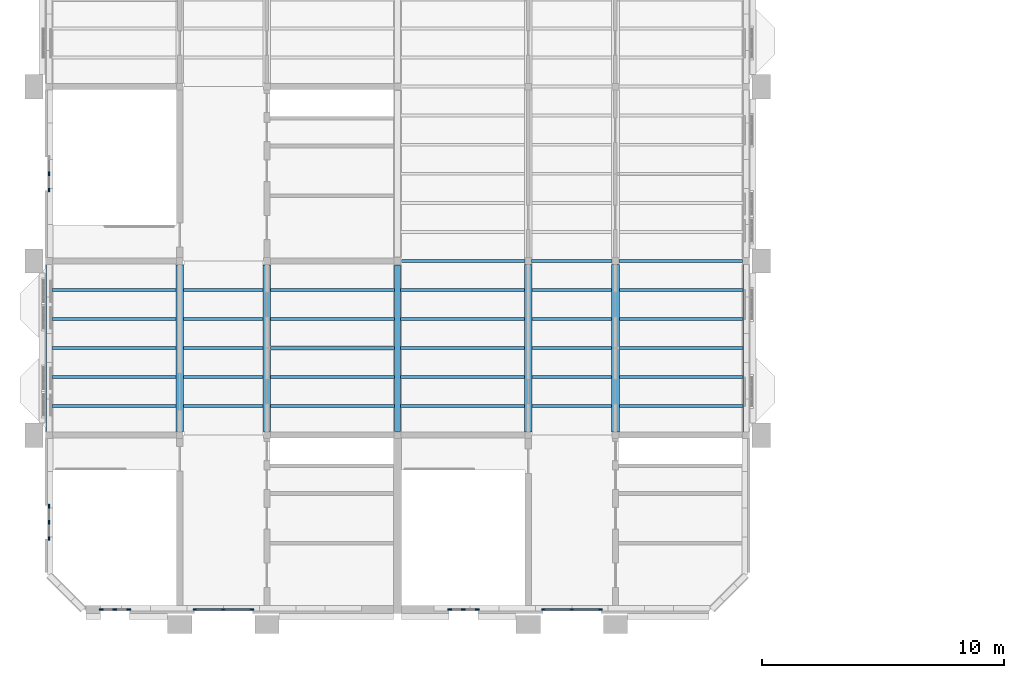
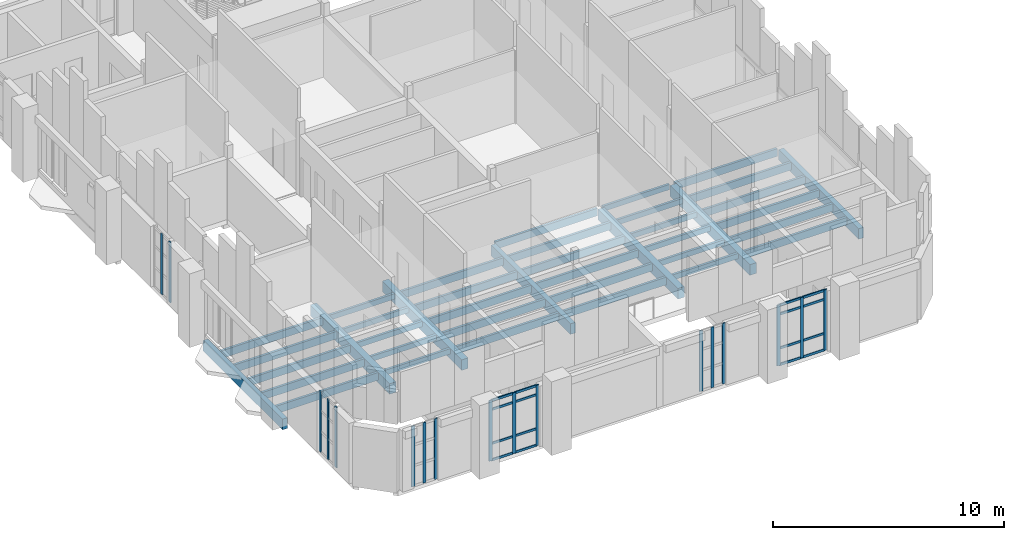
# One storey, part 3 of 51: 40 beams, 33 members, 6 elements without a shape of their own.
"""IFC4 building model written with IfcOpenShell, lengths in metres."""

import ifcopenshell
import ifcopenshell.guid

model = None  # the IFC model being written
_history = None  # IfcOwnerHistory: only IFC2X3 demands one
_inside = {}  # id of a spatial element -> (the spatial element, [elements in it])
_under = {}  # id of a project, library or spatial element -> (it, [spatial elements below it])
_declared = {}  # id of a project -> (the project, [libraries it declares])
_typed = {}  # id of a type object -> (the type object, [elements of that type])
_made_of = {}  # id of a material, layer set ... -> (it, [elements and type objects made of it])


def new_model(schema):
    """Start an empty IFC model of exactly this schema.

    Asked for "IFC4X3", IfcOpenShell would pick the latest addendum, in which some entities
    have other attributes; the version numbers below select the first issue.
    IFC2X3 requires an IfcOwnerHistory on every rooted entity: one is made here for all.
    """
    global model, _history
    if schema == "IFC4X3":
        model = ifcopenshell.file(schema_version=(4, 3, 0, 0))
    else:
        model = ifcopenshell.file(schema=schema)
    _inside.clear()
    _under.clear()
    _declared.clear()
    _typed.clear()
    _made_of.clear()
    _history = None
    if model.schema == "IFC2X3":
        org = make("IfcOrganization", Name="unknown")
        user = make(
            "IfcPersonAndOrganization",
            ThePerson=make("IfcPerson", FamilyName="unknown"),
            TheOrganization=org,
        )
        app = make(
            "IfcApplication",
            ApplicationDeveloper=org,
            Version="unknown",
            ApplicationFullName="unknown",
            ApplicationIdentifier="unknown",
        )
        _history = make(
            "IfcOwnerHistory",
            OwningUser=user,
            OwningApplication=app,
            ChangeAction="ADDED",
            CreationDate=0,
        )
    return model


def make(cls, **values):
    """One entity of the class cls with the attributes given. An attribute that is None is left unset."""
    return model.create_entity(
        cls, **{name: value for name, value in values.items() if value is not None}
    )


def rooted(cls, **values):
    """An entity with a GlobalId (a new one), such as an element, a storey or a relation."""
    return make(cls, GlobalId=ifcopenshell.guid.new(), OwnerHistory=_history, **values)


def si_unit(unit_type, name, prefix=None):
    """IfcSIUnit, for example si_unit("LENGTHUNIT", "METRE", prefix="MILLI")."""
    return make("IfcSIUnit", UnitType=unit_type, Prefix=prefix, Name=name)


def assignment(units):
    """IfcUnitAssignment: the units of a project."""
    return None if units is None else make("IfcUnitAssignment", Units=units)


def point(xyz):
    """IfcCartesianPoint."""
    return None if xyz is None else make("IfcCartesianPoint", Coordinates=xyz)


def direction(xyz):
    """IfcDirection."""
    return None if xyz is None else make("IfcDirection", DirectionRatios=xyz)


def frame(location, z_axis=None, x_axis=None):
    """IfcAxis2Placement3D, a coordinate frame: its origin and axes. An axis left out is left unset."""
    return make(
        "IfcAxis2Placement3D",
        Location=point(location),
        Axis=direction(z_axis),
        RefDirection=direction(x_axis),
    )


def frame_2d(location, x_axis=None):
    """IfcAxis2Placement2D, a coordinate frame in the plane: its origin and x axis."""
    return make(
        "IfcAxis2Placement2D", Location=point(location), RefDirection=direction(x_axis)
    )


def origin():
    """The frame at (0, 0, 0) with its axes left unset."""
    return frame((0.0, 0.0, 0.0))


def origin_2d():
    """The frame at (0, 0) in the plane with its x axis left unset."""
    return frame_2d((0.0, 0.0))


def place(relative_to, where):
    """IfcLocalPlacement: puts the frame where relative to a parent placement (None: the world)."""
    return make(
        "IfcLocalPlacement", PlacementRelTo=relative_to, RelativePlacement=where
    )


def context(
    kind, dimensions, precision=None, world=None, true_north=None, identifier=None
):
    """IfcGeometricRepresentationContext, for example the 3D "Model" context."""
    return make(
        "IfcGeometricRepresentationContext",
        ContextIdentifier=identifier,
        ContextType=kind,
        CoordinateSpaceDimension=dimensions,
        Precision=precision,
        WorldCoordinateSystem=world,
        TrueNorth=true_north,
    )


def subcontext(parent, identifier, kind, view, scale=None):
    """IfcGeometricRepresentationSubContext, for example "Body" below "Model"."""
    return make(
        "IfcGeometricRepresentationSubContext",
        ContextIdentifier=identifier,
        ContextType=kind,
        ParentContext=parent,
        TargetScale=scale,
        TargetView=view,
    )


def project(units=None, contexts=None):
    """IfcProject with its units and contexts."""
    return rooted(
        "IfcProject",
        Name="project",
        RepresentationContexts=contexts,
        UnitsInContext=assignment(units),
    )


def spatial(cls, under=None, at=None, **own):
    """A site, building, storey or space (cls), placed at a placement, below another one or the project."""
    s = rooted(cls, ObjectPlacement=at, **own)
    if under is not None:
        _under.setdefault(under.id(), (under, []))[1].append(s)
    return s


def profile(cls, at=None, kind="AREA", **sizes):
    """A parametric profile (cls). Its sizes go by their IFC names, for example OverallWidth=200.0."""
    return make(cls, ProfileType=kind, Position=at, **sizes)


def rectangle(**sizes):
    """IfcRectangleProfileDef."""
    return profile("IfcRectangleProfileDef", **sizes)


def extrude(swept, where, along, depth):
    """IfcExtrudedAreaSolid: the profile swept, set in the frame where, extruded along a direction by depth."""
    return make(
        "IfcExtrudedAreaSolid",
        SweptArea=swept,
        Position=where,
        ExtrudedDirection=direction(along),
        Depth=depth,
    )


def shape(context_of_items, identifier, shape_type, items):
    """IfcShapeRepresentation: the items that make up one representation, for example the "Body"."""
    return make(
        "IfcShapeRepresentation",
        ContextOfItems=context_of_items,
        RepresentationIdentifier=identifier,
        RepresentationType=shape_type,
        Items=items,
    )


def material(Name=None, Category=None):
    """IfcMaterial."""
    return make("IfcMaterial", Name=Name, Category=Category)


def layer(
    of_material, thickness, ventilated=None, Name=None, Category=None, Priority=None
):
    """IfcMaterialLayer: one layer of a wall or slab, of a material (None: an air gap)."""
    return make(
        "IfcMaterialLayer",
        Material=of_material,
        LayerThickness=thickness,
        IsVentilated=ventilated,
        Name=Name,
        Category=Category,
        Priority=Priority,
    )


def layer_set(layers, Name=None):
    """IfcMaterialLayerSet."""
    return make("IfcMaterialLayerSet", MaterialLayers=layers, LayerSetName=Name)


def material_profile(
    of_material, cross_section, Name=None, Category=None, Priority=None
):
    """IfcMaterialProfile: a cross section and its material."""
    return make(
        "IfcMaterialProfile",
        Name=Name,
        Material=of_material,
        Profile=cross_section,
        Priority=Priority,
        Category=Category,
    )


def profile_set(profiles, Name=None, composite=None):
    """IfcMaterialProfileSet."""
    return make(
        "IfcMaterialProfileSet",
        Name=Name,
        MaterialProfiles=profiles,
        CompositeProfile=composite,
    )


def made_of(thing, what):
    """Note that an element or type object is made of a material, layer set ...; save() writes the relation."""
    if what is not None:
        _made_of.setdefault(what.id(), (what, []))[1].append(thing)
    return thing


def type_object(cls, material=None, **own):
    """A type object (cls), such as IfcWallType, which elements share."""
    return made_of(rooted(cls, **own), material)


def element(
    cls,
    number,
    at=None,
    inside=None,
    cuts=None,
    type_object=None,
    material=None,
    context=None,
    identifier="Body",
    shape_type=None,
    held_by="IfcProductDefinitionShape",
    body=None,
    shapes=None,
    **own,
):
    """One element of the class cls, such as IfcWall. Its Tag is "e" and its number.

    at: its placement. inside: the storey or other place that contains it. cuts: it is an
    opening in that element (IfcRelVoidsElement). A single representation is given by context,
    identifier, shape_type and body (its items); several are given by shapes. held_by: the class
    of the entity that holds the representations. save() writes the other relations.
    """
    e = rooted(cls, Tag="e%d" % number, ObjectPlacement=at, **own)
    if body is not None:
        shapes = [shape(context, identifier, shape_type, body)]
    if shapes is not None:
        e.Representation = make(held_by, Representations=shapes)
    if inside is not None:
        _inside.setdefault(inside.id(), (inside, []))[1].append(e)
    if cuts is not None:
        rooted(
            "IfcRelVoidsElement", RelatingBuildingElement=cuts, RelatedOpeningElement=e
        )
    if type_object is not None:
        _typed.setdefault(type_object.id(), (type_object, []))[1].append(e)
    return made_of(e, material)


def aggregate(whole, parts):
    """IfcRelAggregates: a whole, such as a stair, and the parts it consists of."""
    return rooted("IfcRelAggregates", RelatingObject=whole, RelatedObjects=parts)


def save(model, path):
    """Write the relations noted so far, then the file.

    IfcRelAggregates (storeys below a building ...), IfcRelContainedInSpatialStructure (elements
    in a storey), IfcRelDefinesByType, IfcRelAssociatesMaterial and IfcRelDeclares: one each for
    every whole, place, type object, material and project.
    """
    for whole, parts in _under.values():
        aggregate(whole, parts)
    for where, things in _inside.values():
        rooted(
            "IfcRelContainedInSpatialStructure",
            RelatedElements=things,
            RelatingStructure=where,
        )
    for kind, things in _typed.values():
        rooted("IfcRelDefinesByType", RelatedObjects=things, RelatingType=kind)
    for what, things in _made_of.values():
        rooted("IfcRelAssociatesMaterial", RelatedObjects=things, RelatingMaterial=what)
    for by, libraries in _declared.values():
        rooted("IfcRelDeclares", RelatingContext=by, RelatedDefinitions=libraries)
    model.write(path)


model = new_model("IFC4")

# Units and contexts
model_context = context("Model", 3, precision=1e-05, world=origin(), true_north=direction((0.0, 1.0)))
body_context = subcontext(model_context, "Body", "Model", "MODEL_VIEW")
ifc_project = project(units=[si_unit("LENGTHUNIT", "METRE"), si_unit("AREAUNIT", "SQUARE_METRE"), si_unit("VOLUMEUNIT", "CUBIC_METRE"), si_unit("PLANEANGLEUNIT", "RADIAN"), si_unit("MASSUNIT", "GRAM", prefix="KILO")], contexts=[model_context])

# Site, building, storey
site_placement = place(None, origin())
site = spatial("IfcSite", under=ifc_project, at=site_placement, CompositionType="ELEMENT")
building_placement = place(site_placement, origin())
building = spatial("IfcBuilding", under=site, at=building_placement, Name="Mazhai Court Health Centre", CompositionType="ELEMENT")
storey_placement = place(building_placement, frame((0.0, 0.0, 14.10009765625)))
storey = spatial("IfcBuildingStorey", under=building, at=storey_placement, Name="L03", CompositionType="ELEMENT", Elevation=14.10009765625)

# Curtain wall, members
ifc_material_1 = material(Name="Teak timber frame, glazed", Category="wood")
ifc_layer_1 = layer(ifc_material_1, 0.10009765625)
ifc_layer_set_1 = layer_set([ifc_layer_1], Name="CURTAIN WALL TIMBER 600")
curtain_wall_type_1 = type_object("IfcCurtainWallType", Name="CURTAIN WALL TIMBER 600", PredefinedType="NOTDEFINED", material=ifc_layer_set_1)
curtain_wall_1_placement = place(storey_placement, origin())
curtain_wall_1 = element("IfcCurtainWall", 1, at=curtain_wall_1_placement, inside=storey, type_object=curtain_wall_type_1, Name="CW-V2-L03-A0", PredefinedType="NOTDEFINED")
ifc_material_2 = material(Name="Teak timber", Category="wood")
ifc_material_profile_1 = material_profile(ifc_material_2, rectangle(XDim=0.06005859375, YDim=0.159912109375, at=origin_2d()), Name="CW MULLION 60x160")
ifc_profile_set_1 = profile_set([ifc_material_profile_1], Name="Teak timber")
member_type_1 = type_object("IfcMemberType", Name="CW MULLION 60x160", PredefinedType="MULLION", material=ifc_profile_set_1)
member_1_placement = place(storey_placement, frame((6.199951171875, 9.1298828125, 0.0), z_axis=(0.0, 0.0, 1.0), x_axis=(-1.0, 0.0, 0.0)))
member_1 = element("IfcMember", 2, at=member_1_placement, type_object=member_type_1, Name="CW mullion 1", PredefinedType="MULLION", context=body_context, shape_type="SweptSolid", body=[
    extrude(rectangle(XDim=0.06005859375, YDim=0.159912109375, at=origin_2d()), origin(), (0.0, 0.0, 1.0), 3.199951171875),
])
member_2_placement = place(storey_placement, frame((6.199951171875, 9.800048828125, 0.0), z_axis=(0.0, 0.0, 1.0), x_axis=(-1.0, 0.0, 0.0)))
member_2 = element("IfcMember", 3, at=member_2_placement, type_object=member_type_1, Name="CW mullion 2", PredefinedType="MULLION", context=body_context, shape_type="SweptSolid", body=[
    extrude(rectangle(XDim=0.06005859375, YDim=0.159912109375, at=origin_2d()), origin(), (0.0, 0.0, 1.0), 3.199951171875),
])
member_3_placement = place(storey_placement, frame((6.199951171875, 10.469970703125, 0.0), z_axis=(0.0, 0.0, 1.0), x_axis=(-1.0, 0.0, 0.0)))
member_3 = element("IfcMember", 4, at=member_3_placement, type_object=member_type_1, Name="CW mullion 3", PredefinedType="MULLION", context=body_context, shape_type="SweptSolid", body=[
    extrude(rectangle(XDim=0.06005859375, YDim=0.159912109375, at=origin_2d()), origin(), (0.0, 0.0, 1.0), 3.199951171875),
])
aggregate(curtain_wall_1, [member_1, member_2, member_3])

curtain_wall_2_placement = place(storey_placement, origin())
curtain_wall_2 = element("IfcCurtainWall", 5, at=curtain_wall_2_placement, inside=storey, type_object=curtain_wall_type_1, Name="CW-V2-L03-A2", PredefinedType="NOTDEFINED")
member_4_placement = place(storey_placement, frame((6.199951171875, 23.530029296875, 0.0), z_axis=(0.0, 0.0, 1.0), x_axis=(-1.0, 0.0, 0.0)))
member_4 = element("IfcMember", 6, at=member_4_placement, type_object=member_type_1, Name="CW mullion 1", PredefinedType="MULLION", context=body_context, shape_type="SweptSolid", body=[
    extrude(rectangle(XDim=0.06005859375, YDim=0.159912109375, at=origin_2d()), origin(), (0.0, 0.0, 1.0), 3.199951171875),
])
member_5_placement = place(storey_placement, frame((6.199951171875, 24.199951171875, 0.0), z_axis=(0.0, 0.0, 1.0), x_axis=(-1.0, 0.0, 0.0)))
member_5 = element("IfcMember", 7, at=member_5_placement, type_object=member_type_1, Name="CW mullion 2", PredefinedType="MULLION", context=body_context, shape_type="SweptSolid", body=[
    extrude(rectangle(XDim=0.06005859375, YDim=0.159912109375, at=origin_2d()), origin(), (0.0, 0.0, 1.0), 3.199951171875),
])
aggregate(curtain_wall_2, [member_4, member_5])

curtain_wall_3_placement = place(storey_placement, origin())
curtain_wall_3 = element("IfcCurtainWall", 8, at=curtain_wall_3_placement, inside=storey, type_object=curtain_wall_type_1, Name="CW-V2-L03-SSTAIR0", PredefinedType="NOTDEFINED")
member_6_placement = place(storey_placement, frame((9.489990234375, 6.199951171875, 0.0), z_axis=(0.0, 0.0, 1.0), x_axis=(0.0, -1.0, 0.0)))
member_6 = element("IfcMember", 9, at=member_6_placement, type_object=member_type_1, Name="CW mullion 1", PredefinedType="MULLION", context=body_context, shape_type="SweptSolid", body=[
    extrude(rectangle(XDim=0.06005859375, YDim=0.159912109375, at=origin_2d()), origin(), (0.0, 0.0, 1.0), 3.199951171875),
])
member_7_placement = place(storey_placement, frame((8.919921875, 6.199951171875, 0.0), z_axis=(0.0, 0.0, 1.0), x_axis=(0.0, -1.0, 0.0)))
member_7 = element("IfcMember", 10, at=member_7_placement, type_object=member_type_1, Name="CW mullion 2", PredefinedType="MULLION", context=body_context, shape_type="SweptSolid", body=[
    extrude(rectangle(XDim=0.06005859375, YDim=0.159912109375, at=origin_2d()), origin(), (0.0, 0.0, 1.0), 3.199951171875),
])
member_8_placement = place(storey_placement, frame((8.35009765625, 6.199951171875, 0.0), z_axis=(0.0, 0.0, 1.0), x_axis=(0.0, -1.0, 0.0)))
member_8 = element("IfcMember", 11, at=member_8_placement, type_object=member_type_1, Name="CW mullion 3", PredefinedType="MULLION", context=body_context, shape_type="SweptSolid", body=[
    extrude(rectangle(XDim=0.06005859375, YDim=0.159912109375, at=origin_2d()), origin(), (0.0, 0.0, 1.0), 3.199951171875),
])
aggregate(curtain_wall_3, [member_6, member_7, member_8])

ifc_material_3 = material(Name="Teak timber frame, glazed", Category="wood")
ifc_layer_2 = layer(ifc_material_3, 0.10009765625)
ifc_layer_set_2 = layer_set([ifc_layer_2], Name="CURTAIN WALL TIMBER 1200")
curtain_wall_type_2 = type_object("IfcCurtainWallType", Name="CURTAIN WALL TIMBER 1200", PredefinedType="NOTDEFINED", material=ifc_layer_set_2)
curtain_wall_4_placement = place(storey_placement, origin())
curtain_wall_4 = element("IfcCurtainWall", 12, at=curtain_wall_4_placement, inside=storey, type_object=curtain_wall_type_2, Name="CW-V2-L03-SEND1", PredefinedType="NOTDEFINED")
member_9_placement = place(storey_placement, frame((14.570068359375, 6.199951171875, 0.0), z_axis=(0.0, 0.0, 1.0), x_axis=(0.0, -1.0, 0.0)))
member_9 = element("IfcMember", 13, at=member_9_placement, type_object=member_type_1, Name="CW mullion 1", PredefinedType="MULLION", context=body_context, shape_type="SweptSolid", body=[
    extrude(rectangle(XDim=0.06005859375, YDim=0.159912109375, at=origin_2d()), origin(), (0.0, 0.0, 1.0), 3.199951171875),
])
member_10_placement = place(storey_placement, frame((13.39990234375, 6.199951171875, 0.0), z_axis=(0.0, 0.0, 1.0), x_axis=(0.0, -1.0, 0.0)))
member_10 = element("IfcMember", 14, at=member_10_placement, type_object=member_type_1, Name="CW mullion 2", PredefinedType="MULLION", context=body_context, shape_type="SweptSolid", body=[
    extrude(rectangle(XDim=0.06005859375, YDim=0.159912109375, at=origin_2d()), origin(), (0.0, 0.0, 1.0), 3.199951171875),
])
member_11_placement = place(storey_placement, frame((12.22998046875, 6.199951171875, 0.0), z_axis=(0.0, 0.0, 1.0), x_axis=(0.0, -1.0, 0.0)))
member_11 = element("IfcMember", 15, at=member_11_placement, type_object=member_type_1, Name="CW mullion 3", PredefinedType="MULLION", context=body_context, shape_type="SweptSolid", body=[
    extrude(rectangle(XDim=0.06005859375, YDim=0.159912109375, at=origin_2d()), origin(), (0.0, 0.0, 1.0), 3.199951171875),
])

curtain_wall_5_placement = place(storey_placement, origin())
curtain_wall_5 = element("IfcCurtainWall", 16, at=curtain_wall_5_placement, inside=storey, type_object=curtain_wall_type_1, Name="CW-V5-L03-SSTAIR0", PredefinedType="NOTDEFINED")
member_12_placement = place(storey_placement, frame((23.889892578125, 6.199951171875, 0.0), z_axis=(0.0, 0.0, 1.0), x_axis=(0.0, -1.0, 0.0)))
member_12 = element("IfcMember", 17, at=member_12_placement, type_object=member_type_1, Name="CW mullion 1", PredefinedType="MULLION", context=body_context, shape_type="SweptSolid", body=[
    extrude(rectangle(XDim=0.06005859375, YDim=0.159912109375, at=origin_2d()), origin(), (0.0, 0.0, 1.0), 3.199951171875),
])
member_13_placement = place(storey_placement, frame((23.320068359375, 6.199951171875, 0.0), z_axis=(0.0, 0.0, 1.0), x_axis=(0.0, -1.0, 0.0)))
member_13 = element("IfcMember", 18, at=member_13_placement, type_object=member_type_1, Name="CW mullion 2", PredefinedType="MULLION", context=body_context, shape_type="SweptSolid", body=[
    extrude(rectangle(XDim=0.06005859375, YDim=0.159912109375, at=origin_2d()), origin(), (0.0, 0.0, 1.0), 3.199951171875),
])
member_14_placement = place(storey_placement, frame((22.75, 6.199951171875, 0.0), z_axis=(0.0, 0.0, 1.0), x_axis=(0.0, -1.0, 0.0)))
member_14 = element("IfcMember", 19, at=member_14_placement, type_object=member_type_1, Name="CW mullion 3", PredefinedType="MULLION", context=body_context, shape_type="SweptSolid", body=[
    extrude(rectangle(XDim=0.06005859375, YDim=0.159912109375, at=origin_2d()), origin(), (0.0, 0.0, 1.0), 3.199951171875),
])
aggregate(curtain_wall_5, [member_12, member_13, member_14])

curtain_wall_6_placement = place(storey_placement, origin())
curtain_wall_6 = element("IfcCurtainWall", 20, at=curtain_wall_6_placement, inside=storey, type_object=curtain_wall_type_2, Name="CW-V5-L03-SEND1", PredefinedType="NOTDEFINED")
member_15_placement = place(storey_placement, frame((28.969970703125, 6.199951171875, 0.0), z_axis=(0.0, 0.0, 1.0), x_axis=(0.0, -1.0, 0.0)))
member_15 = element("IfcMember", 21, at=member_15_placement, type_object=member_type_1, Name="CW mullion 1", PredefinedType="MULLION", context=body_context, shape_type="SweptSolid", body=[
    extrude(rectangle(XDim=0.06005859375, YDim=0.159912109375, at=origin_2d()), origin(), (0.0, 0.0, 1.0), 3.199951171875),
])
member_16_placement = place(storey_placement, frame((27.800048828125, 6.199951171875, 0.0), z_axis=(0.0, 0.0, 1.0), x_axis=(0.0, -1.0, 0.0)))
member_16 = element("IfcMember", 22, at=member_16_placement, type_object=member_type_1, Name="CW mullion 2", PredefinedType="MULLION", context=body_context, shape_type="SweptSolid", body=[
    extrude(rectangle(XDim=0.06005859375, YDim=0.159912109375, at=origin_2d()), origin(), (0.0, 0.0, 1.0), 3.199951171875),
])
member_17_placement = place(storey_placement, frame((26.6298828125, 6.199951171875, 0.0), z_axis=(0.0, 0.0, 1.0), x_axis=(0.0, -1.0, 0.0)))
member_17 = element("IfcMember", 23, at=member_17_placement, type_object=member_type_1, Name="CW mullion 3", PredefinedType="MULLION", context=body_context, shape_type="SweptSolid", body=[
    extrude(rectangle(XDim=0.06005859375, YDim=0.159912109375, at=origin_2d()), origin(), (0.0, 0.0, 1.0), 3.199951171875),
])

# Member
ifc_material_4 = material(Name="Teak timber", Category="wood")
ifc_material_profile_2 = material_profile(ifc_material_4, rectangle(XDim=0.06005859375, YDim=0.1201171875, at=origin_2d()), Name="CW TRANSOM 60x120")
ifc_profile_set_2 = profile_set([ifc_material_profile_2], Name="Teak timber")
member_type_2 = type_object("IfcMemberType", Name="CW TRANSOM 60x120", PredefinedType="USERDEFINED", material=ifc_profile_set_2)
member_18_placement = place(storey_placement, frame((14.5400390625, 6.199951171875, 0.02978515625), z_axis=(-1.0, 0.0, 0.0), x_axis=(0.0, -1.0, 0.0)))
member_18 = element("IfcMember", 24, at=member_18_placement, type_object=member_type_2, Name="CW transom 1.1", ObjectType="TRANSOM", PredefinedType="USERDEFINED", context=body_context, shape_type="SweptSolid", body=[
    extrude(rectangle(XDim=0.06005859375, YDim=0.1201171875, at=origin_2d()), origin(), (0.0, 0.0, 1.0), 1.110107421875),
])

member_19_placement = place(storey_placement, frame((14.5400390625, 6.199951171875, 0.89990234375), z_axis=(-1.0, 0.0, 0.0), x_axis=(0.0, -1.0, 0.0)))
member_19 = element("IfcMember", 25, at=member_19_placement, type_object=member_type_2, Name="CW transom 1.2", ObjectType="TRANSOM", PredefinedType="USERDEFINED", context=body_context, shape_type="SweptSolid", body=[
    extrude(rectangle(XDim=0.06005859375, YDim=0.1201171875, at=origin_2d()), origin(), (0.0, 0.0, 1.0), 1.110107421875),
])

member_20_placement = place(storey_placement, frame((14.5400390625, 6.199951171875, 2.699951171875), z_axis=(-1.0, 0.0, 0.0), x_axis=(0.0, -1.0, 0.0)))
member_20 = element("IfcMember", 26, at=member_20_placement, type_object=member_type_2, Name="CW transom 1.3", ObjectType="TRANSOM", PredefinedType="USERDEFINED", context=body_context, shape_type="SweptSolid", body=[
    extrude(rectangle(XDim=0.06005859375, YDim=0.1201171875, at=origin_2d()), origin(), (0.0, 0.0, 1.0), 1.110107421875),
])

member_21_placement = place(storey_placement, frame((14.5400390625, 6.199951171875, 3.169921875), z_axis=(-1.0, 0.0, 0.0), x_axis=(0.0, -1.0, 0.0)))
member_21 = element("IfcMember", 27, at=member_21_placement, type_object=member_type_2, Name="CW transom 1.4", ObjectType="TRANSOM", PredefinedType="USERDEFINED", context=body_context, shape_type="SweptSolid", body=[
    extrude(rectangle(XDim=0.06005859375, YDim=0.1201171875, at=origin_2d()), origin(), (0.0, 0.0, 1.0), 1.110107421875),
])

member_22_placement = place(storey_placement, frame((13.3701171875, 6.199951171875, 0.02978515625), z_axis=(-1.0, 0.0, 0.0), x_axis=(0.0, -1.0, 0.0)))
member_22 = element("IfcMember", 28, at=member_22_placement, type_object=member_type_2, Name="CW transom 2.1", ObjectType="TRANSOM", PredefinedType="USERDEFINED", context=body_context, shape_type="SweptSolid", body=[
    extrude(rectangle(XDim=0.06005859375, YDim=0.1201171875, at=origin_2d()), origin(), (0.0, 0.0, 1.0), 1.110107421875),
])

member_23_placement = place(storey_placement, frame((13.3701171875, 6.199951171875, 0.89990234375), z_axis=(-1.0, 0.0, 0.0), x_axis=(0.0, -1.0, 0.0)))
member_23 = element("IfcMember", 29, at=member_23_placement, type_object=member_type_2, Name="CW transom 2.2", ObjectType="TRANSOM", PredefinedType="USERDEFINED", context=body_context, shape_type="SweptSolid", body=[
    extrude(rectangle(XDim=0.06005859375, YDim=0.1201171875, at=origin_2d()), origin(), (0.0, 0.0, 1.0), 1.110107421875),
])

member_24_placement = place(storey_placement, frame((13.3701171875, 6.199951171875, 2.699951171875), z_axis=(-1.0, 0.0, 0.0), x_axis=(0.0, -1.0, 0.0)))
member_24 = element("IfcMember", 30, at=member_24_placement, type_object=member_type_2, Name="CW transom 2.3", ObjectType="TRANSOM", PredefinedType="USERDEFINED", context=body_context, shape_type="SweptSolid", body=[
    extrude(rectangle(XDim=0.06005859375, YDim=0.1201171875, at=origin_2d()), origin(), (0.0, 0.0, 1.0), 1.110107421875),
])

member_25_placement = place(storey_placement, frame((13.3701171875, 6.199951171875, 3.169921875), z_axis=(-1.0, 0.0, 0.0), x_axis=(0.0, -1.0, 0.0)))
member_25 = element("IfcMember", 31, at=member_25_placement, type_object=member_type_2, Name="CW transom 2.4", ObjectType="TRANSOM", PredefinedType="USERDEFINED", context=body_context, shape_type="SweptSolid", body=[
    extrude(rectangle(XDim=0.06005859375, YDim=0.1201171875, at=origin_2d()), origin(), (0.0, 0.0, 1.0), 1.110107421875),
])

aggregate(curtain_wall_4, [member_9, member_10, member_11, member_18, member_19, member_20, member_21, member_22, member_23, member_24, member_25])

member_26_placement = place(storey_placement, frame((28.93994140625, 6.199951171875, 0.02978515625), z_axis=(-1.0, 0.0, 0.0), x_axis=(0.0, -1.0, 0.0)))
member_26 = element("IfcMember", 32, at=member_26_placement, type_object=member_type_2, Name="CW transom 1.1", ObjectType="TRANSOM", PredefinedType="USERDEFINED", context=body_context, shape_type="SweptSolid", body=[
    extrude(rectangle(XDim=0.06005859375, YDim=0.1201171875, at=origin_2d()), origin(), (0.0, 0.0, 1.0), 1.10986328125),
])

member_27_placement = place(storey_placement, frame((28.93994140625, 6.199951171875, 0.89990234375), z_axis=(-1.0, 0.0, 0.0), x_axis=(0.0, -1.0, 0.0)))
member_27 = element("IfcMember", 33, at=member_27_placement, type_object=member_type_2, Name="CW transom 1.2", ObjectType="TRANSOM", PredefinedType="USERDEFINED", context=body_context, shape_type="SweptSolid", body=[
    extrude(rectangle(XDim=0.06005859375, YDim=0.1201171875, at=origin_2d()), origin(), (0.0, 0.0, 1.0), 1.10986328125),
])

member_28_placement = place(storey_placement, frame((28.93994140625, 6.199951171875, 2.699951171875), z_axis=(-1.0, 0.0, 0.0), x_axis=(0.0, -1.0, 0.0)))
member_28 = element("IfcMember", 34, at=member_28_placement, type_object=member_type_2, Name="CW transom 1.3", ObjectType="TRANSOM", PredefinedType="USERDEFINED", context=body_context, shape_type="SweptSolid", body=[
    extrude(rectangle(XDim=0.06005859375, YDim=0.1201171875, at=origin_2d()), origin(), (0.0, 0.0, 1.0), 1.10986328125),
])

member_29_placement = place(storey_placement, frame((28.93994140625, 6.199951171875, 3.169921875), z_axis=(-1.0, 0.0, 0.0), x_axis=(0.0, -1.0, 0.0)))
member_29 = element("IfcMember", 35, at=member_29_placement, type_object=member_type_2, Name="CW transom 1.4", ObjectType="TRANSOM", PredefinedType="USERDEFINED", context=body_context, shape_type="SweptSolid", body=[
    extrude(rectangle(XDim=0.06005859375, YDim=0.1201171875, at=origin_2d()), origin(), (0.0, 0.0, 1.0), 1.10986328125),
])

member_30_placement = place(storey_placement, frame((27.77001953125, 6.199951171875, 0.02978515625), z_axis=(-1.0, 0.0, 0.0), x_axis=(0.0, -1.0, 0.0)))
member_30 = element("IfcMember", 36, at=member_30_placement, type_object=member_type_2, Name="CW transom 2.1", ObjectType="TRANSOM", PredefinedType="USERDEFINED", context=body_context, shape_type="SweptSolid", body=[
    extrude(rectangle(XDim=0.06005859375, YDim=0.1201171875, at=origin_2d()), origin(), (0.0, 0.0, 1.0), 1.110107421875),
])

member_31_placement = place(storey_placement, frame((27.77001953125, 6.199951171875, 0.89990234375), z_axis=(-1.0, 0.0, 0.0), x_axis=(0.0, -1.0, 0.0)))
member_31 = element("IfcMember", 37, at=member_31_placement, type_object=member_type_2, Name="CW transom 2.2", ObjectType="TRANSOM", PredefinedType="USERDEFINED", context=body_context, shape_type="SweptSolid", body=[
    extrude(rectangle(XDim=0.06005859375, YDim=0.1201171875, at=origin_2d()), origin(), (0.0, 0.0, 1.0), 1.110107421875),
])

member_32_placement = place(storey_placement, frame((27.77001953125, 6.199951171875, 2.699951171875), z_axis=(-1.0, 0.0, 0.0), x_axis=(0.0, -1.0, 0.0)))
member_32 = element("IfcMember", 38, at=member_32_placement, type_object=member_type_2, Name="CW transom 2.3", ObjectType="TRANSOM", PredefinedType="USERDEFINED", context=body_context, shape_type="SweptSolid", body=[
    extrude(rectangle(XDim=0.06005859375, YDim=0.1201171875, at=origin_2d()), origin(), (0.0, 0.0, 1.0), 1.110107421875),
])

member_33_placement = place(storey_placement, frame((27.77001953125, 6.199951171875, 3.169921875), z_axis=(-1.0, 0.0, 0.0), x_axis=(0.0, -1.0, 0.0)))
member_33 = element("IfcMember", 39, at=member_33_placement, type_object=member_type_2, Name="CW transom 2.4", ObjectType="TRANSOM", PredefinedType="USERDEFINED", context=body_context, shape_type="SweptSolid", body=[
    extrude(rectangle(XDim=0.06005859375, YDim=0.1201171875, at=origin_2d()), origin(), (0.0, 0.0, 1.0), 1.110107421875),
])

aggregate(curtain_wall_6, [member_15, member_16, member_17, member_26, member_27, member_28, member_29, member_30, member_31, member_32, member_33])

# Beams
ifc_material_5 = material(Name="Glulam GL24h", Category="wood")
ifc_material_profile_3 = material_profile(ifc_material_5, rectangle(XDim=0.1201171875, YDim=0.280029296875, at=origin_2d()), Name="GL24h 120x280")
ifc_profile_set_3 = profile_set([ifc_material_profile_3], Name="Glulam GL24h")
beam_type_1 = type_object("IfcBeamType", Name="GL24h 120x280 joist", PredefinedType="JOIST", material=ifc_profile_set_3)
for number, where, z_axis, x_axis, name in (
    (40, (11.760009765625, 14.60009765625, -0.260009765625), (1.0, 0.0, 0.0), (0.0, 1.0, 0.0), "joist-V2-L03-1-B1"),
    (41, (11.760009765625, 15.800048828125, -0.260009765625), (1.0, 0.0, 0.0), (0.0, 1.0, 0.0), "joist-V2-L03-1-B2"),
    (42, (11.760009765625, 17.0, -0.260009765625), (1.0, 0.0, 0.0), (0.0, 1.0, 0.0), "joist-V2-L03-1-B3"),
    (43, (11.760009765625, 18.199951171875, -0.260009765625), (1.0, 0.0, 0.0), (0.0, 1.0, 0.0), "joist-V2-L03-1-B4"),
    (44, (11.760009765625, 19.39990234375, -0.260009765625), (1.0, 0.0, 0.0), (0.0, 1.0, 0.0), "joist-V2-L03-1-B5"),
    (45, (26.159912109375, 14.60009765625, -0.260009765625), (1.0, 0.0, 0.0), (0.0, 1.0, 0.0), "joist-V5-L03-1-B1"),
    (46, (26.159912109375, 15.800048828125, -0.260009765625), (1.0, 0.0, 0.0), (0.0, 1.0, 0.0), "joist-V5-L03-1-B2"),
    (47, (26.159912109375, 17.0, -0.260009765625), (1.0, 0.0, 0.0), (0.0, 1.0, 0.0), "joist-V5-L03-1-B3"),
    (48, (26.159912109375, 18.199951171875, -0.260009765625), (1.0, 0.0, 0.0), (0.0, 1.0, 0.0), "joist-V5-L03-1-B4"),
    (49, (26.159912109375, 19.39990234375, -0.260009765625), (1.0, 0.0, 0.0), (0.0, 1.0, 0.0), "joist-V5-L03-1-B5"),
):
    element("IfcBeam", number, at=place(storey_placement, frame(where, z_axis=z_axis, x_axis=x_axis)), inside=storey, type_object=beam_type_1, Name=name, PredefinedType="JOIST", context=body_context, shape_type="SweptSolid", body=[
        extrude(rectangle(XDim=0.1201171875, YDim=0.280029296875, at=origin_2d()), origin(), (0.0, 0.0, 1.0), 3.280029296875),
    ])
beam_1_placement = place(storey_placement, frame((26.139892578125, 20.60009765625, -0.260009765625), z_axis=(1.0, 0.0, 0.0), x_axis=(0.0, 1.0, 0.0)))
element("IfcBeam", 50, at=beam_1_placement, inside=storey, type_object=beam_type_1, Name="joist-V5-L03-2-B0", PredefinedType="JOIST", context=body_context, shape_type="SweptSolid", body=[
    extrude(rectangle(XDim=0.1201171875, YDim=0.280029296875, at=origin_2d()), origin(), (0.0, 0.0, 1.0), 3.320068359375),
])
ifc_material_6 = material(Name="Glulam GL24h", Category="wood")
ifc_material_profile_4 = material_profile(ifc_material_6, rectangle(XDim=0.1201171875, YDim=0.39990234375, at=origin_2d()), Name="GL24h 120x400")
ifc_profile_set_4 = profile_set([ifc_material_profile_4], Name="Glulam GL24h")
beam_type_2 = type_object("IfcBeamType", Name="GL24h 120x400 joist", PredefinedType="JOIST", material=ifc_profile_set_4)
for number, where, z_axis, x_axis, name in (
    (51, (6.320068359375, 14.60009765625, -0.320068359375), (1.0, 0.0, 0.0), (0.0, 1.0, 0.0), "joist-V2-L03-1-A1"),
    (52, (6.320068359375, 15.800048828125, -0.320068359375), (1.0, 0.0, 0.0), (0.0, 1.0, 0.0), "joist-V2-L03-1-A2"),
    (53, (6.320068359375, 17.0, -0.320068359375), (1.0, 0.0, 0.0), (0.0, 1.0, 0.0), "joist-V2-L03-1-A3"),
    (54, (6.320068359375, 18.199951171875, -0.320068359375), (1.0, 0.0, 0.0), (0.0, 1.0, 0.0), "joist-V2-L03-1-A4"),
    (55, (6.320068359375, 19.39990234375, -0.320068359375), (1.0, 0.0, 0.0), (0.0, 1.0, 0.0), "joist-V2-L03-1-A5"),
    (56, (15.360107421875, 14.60009765625, -0.320068359375), (1.0, 0.0, 0.0), (0.0, 1.0, 0.0), "joist-V2-L03-1-C1"),
    (57, (15.360107421875, 15.800048828125, -0.320068359375), (1.0, 0.0, 0.0), (0.0, 1.0, 0.0), "joist-V2-L03-1-C2"),
    (58, (15.360107421875, 17.0, -0.320068359375), (1.0, 0.0, 0.0), (0.0, 1.0, 0.0), "joist-V2-L03-1-C3"),
    (59, (15.360107421875, 18.199951171875, -0.320068359375), (1.0, 0.0, 0.0), (0.0, 1.0, 0.0), "joist-V2-L03-1-C4"),
    (60, (15.360107421875, 19.39990234375, -0.320068359375), (1.0, 0.0, 0.0), (0.0, 1.0, 0.0), "joist-V2-L03-1-C5"),
):
    element("IfcBeam", number, at=place(storey_placement, frame(where, z_axis=z_axis, x_axis=x_axis)), inside=storey, type_object=beam_type_2, Name=name, PredefinedType="JOIST", context=body_context, shape_type="SweptSolid", body=[
        extrude(rectangle(XDim=0.1201171875, YDim=0.39990234375, at=origin_2d()), origin(), (0.0, 0.0, 1.0), 5.119873046875),
    ])
for number, where, z_axis, x_axis, name in (
    (61, (20.719970703125, 14.60009765625, -0.320068359375), (1.0, 0.0, 0.0), (0.0, 1.0, 0.0), "joist-V5-L03-1-A1"),
    (62, (20.719970703125, 15.800048828125, -0.320068359375), (1.0, 0.0, 0.0), (0.0, 1.0, 0.0), "joist-V5-L03-1-A2"),
    (63, (20.719970703125, 17.0, -0.320068359375), (1.0, 0.0, 0.0), (0.0, 1.0, 0.0), "joist-V5-L03-1-A3"),
    (64, (20.719970703125, 18.199951171875, -0.320068359375), (1.0, 0.0, 0.0), (0.0, 1.0, 0.0), "joist-V5-L03-1-A4"),
    (65, (20.719970703125, 19.39990234375, -0.320068359375), (1.0, 0.0, 0.0), (0.0, 1.0, 0.0), "joist-V5-L03-1-A5"),
):
    element("IfcBeam", number, at=place(storey_placement, frame(where, z_axis=z_axis, x_axis=x_axis)), inside=storey, type_object=beam_type_2, Name=name, PredefinedType="JOIST", context=body_context, shape_type="SweptSolid", body=[
        extrude(rectangle(XDim=0.1201171875, YDim=0.39990234375, at=origin_2d()), origin(), (0.0, 0.0, 1.0), 5.1201171875),
    ])
for number, where, z_axis, x_axis, name in (
    (66, (29.760009765625, 14.60009765625, -0.320068359375), (1.0, 0.0, 0.0), (0.0, 1.0, 0.0), "joist-V5-L03-1-C1"),
    (67, (29.760009765625, 15.800048828125, -0.320068359375), (1.0, 0.0, 0.0), (0.0, 1.0, 0.0), "joist-V5-L03-1-C2"),
    (68, (29.760009765625, 17.0, -0.320068359375), (1.0, 0.0, 0.0), (0.0, 1.0, 0.0), "joist-V5-L03-1-C3"),
    (69, (29.760009765625, 18.199951171875, -0.320068359375), (1.0, 0.0, 0.0), (0.0, 1.0, 0.0), "joist-V5-L03-1-C4"),
    (70, (29.760009765625, 19.39990234375, -0.320068359375), (1.0, 0.0, 0.0), (0.0, 1.0, 0.0), "joist-V5-L03-1-C5"),
):
    element("IfcBeam", number, at=place(storey_placement, frame(where, z_axis=z_axis, x_axis=x_axis)), inside=storey, type_object=beam_type_2, Name=name, PredefinedType="JOIST", context=body_context, shape_type="SweptSolid", body=[
        extrude(rectangle(XDim=0.1201171875, YDim=0.39990234375, at=origin_2d()), origin(), (0.0, 0.0, 1.0), 5.119873046875),
    ])
beam_2_placement = place(storey_placement, frame((20.760009765625, 20.60009765625, -0.320068359375), z_axis=(1.0, 0.0, 0.0), x_axis=(0.0, 1.0, 0.0)))
element("IfcBeam", 71, at=beam_2_placement, inside=storey, type_object=beam_type_2, Name="joist-V5-L03-2-A0", PredefinedType="JOIST", context=body_context, shape_type="SweptSolid", body=[
    extrude(rectangle(XDim=0.1201171875, YDim=0.39990234375, at=origin_2d()), origin(), (0.0, 0.0, 1.0), 5.10009765625),
])
beam_3_placement = place(storey_placement, frame((29.739990234375, 20.60009765625, -0.320068359375), z_axis=(1.0, 0.0, 0.0), x_axis=(0.0, 1.0, 0.0)))
element("IfcBeam", 72, at=beam_3_placement, inside=storey, type_object=beam_type_2, Name="joist-V5-L03-2-C0", PredefinedType="JOIST", context=body_context, shape_type="SweptSolid", body=[
    extrude(rectangle(XDim=0.1201171875, YDim=0.39990234375, at=origin_2d()), origin(), (0.0, 0.0, 1.0), 5.1201171875),
])
ifc_material_7 = material(Name="Glulam GL28h", Category="wood")
ifc_material_profile_5 = material_profile(ifc_material_7, rectangle(XDim=0.239990234375, YDim=0.56005859375, at=origin_2d()), Name="GL28h 240x560")
ifc_profile_set_5 = profile_set([ifc_material_profile_5], Name="Glulam GL28h")
beam_type_3 = type_object("IfcBeamType", Name="GL28h 240x560 beam", PredefinedType="BEAM", material=ifc_profile_set_5)
for number, where, z_axis, x_axis, name in (
    (73, (6.199951171875, 13.56005859375, -0.400146484375), (0.0, 1.0, 0.0), (-1.0, 0.0, 0.0), "beam-V2-L03-1-A"),
    (74, (20.60009765625, 13.56005859375, -0.400146484375), (0.0, 1.0, 0.0), (-1.0, 0.0, 0.0), "beam-V2-L03-1-D"),
):
    element("IfcBeam", number, at=place(storey_placement, frame(where, z_axis=z_axis, x_axis=x_axis)), inside=storey, type_object=beam_type_3, Name=name, PredefinedType="BEAM", context=body_context, shape_type="SweptSolid", body=[
        extrude(rectangle(XDim=0.239990234375, YDim=0.56005859375, at=origin_2d()), origin(), (0.0, 0.0, 1.0), 6.8798828125),
    ])
beam_4_placement = place(storey_placement, frame((35.0, 13.5400390625, -0.400146484375), z_axis=(0.0, 1.0, 0.0), x_axis=(-1.0, 0.0, 0.0)))
element("IfcBeam", 75, at=beam_4_placement, inside=storey, type_object=beam_type_3, Name="beam-V5-L03-1-D", PredefinedType="BEAM", context=body_context, shape_type="SweptSolid", body=[
    extrude(rectangle(XDim=0.239990234375, YDim=0.56005859375, at=origin_2d()), origin(), (0.0, 0.0, 1.0), 6.919921875),
])
ifc_material_8 = material(Name="Glulam GL28h", Category="wood")
ifc_material_profile_6 = material_profile(ifc_material_8, rectangle(XDim=0.320068359375, YDim=0.56005859375, at=origin_2d()), Name="GL28h 320x560")
ifc_profile_set_6 = profile_set([ifc_material_profile_6], Name="Glulam GL28h")
beam_type_4 = type_object("IfcBeamType", Name="GL28h 320x560 beam", PredefinedType="BEAM", material=ifc_profile_set_6)
for number, where, z_axis, x_axis, name in (
    (76, (11.60009765625, 13.56005859375, -0.400146484375), (0.0, 1.0, 0.0), (-1.0, 0.0, 0.0), "beam-V2-L03-1-B"),
    (77, (15.199951171875, 13.56005859375, -0.400146484375), (0.0, 1.0, 0.0), (-1.0, 0.0, 0.0), "beam-V2-L03-1-C"),
):
    element("IfcBeam", number, at=place(storey_placement, frame(where, z_axis=z_axis, x_axis=x_axis)), inside=storey, type_object=beam_type_4, Name=name, PredefinedType="BEAM", context=body_context, shape_type="SweptSolid", body=[
        extrude(rectangle(XDim=0.320068359375, YDim=0.56005859375, at=origin_2d()), origin(), (0.0, 0.0, 1.0), 6.8798828125),
    ])
for number, where, z_axis, x_axis, name in (
    (78, (26.0, 13.5400390625, -0.400146484375), (0.0, 1.0, 0.0), (-1.0, 0.0, 0.0), "beam-V5-L03-1-B"),
    (79, (29.60009765625, 13.5400390625, -0.400146484375), (0.0, 1.0, 0.0), (-1.0, 0.0, 0.0), "beam-V5-L03-1-C"),
):
    element("IfcBeam", number, at=place(storey_placement, frame(where, z_axis=z_axis, x_axis=x_axis)), inside=storey, type_object=beam_type_4, Name=name, PredefinedType="BEAM", context=body_context, shape_type="SweptSolid", body=[
        extrude(rectangle(XDim=0.320068359375, YDim=0.56005859375, at=origin_2d()), origin(), (0.0, 0.0, 1.0), 6.919921875),
    ])

save(model, "model.ifc")
